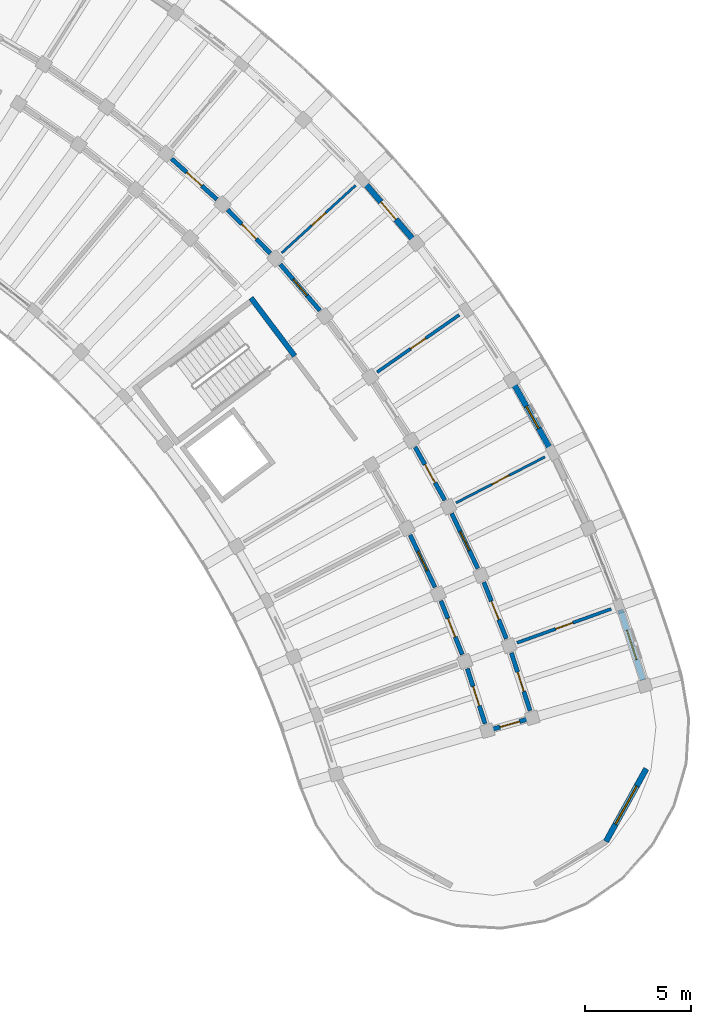
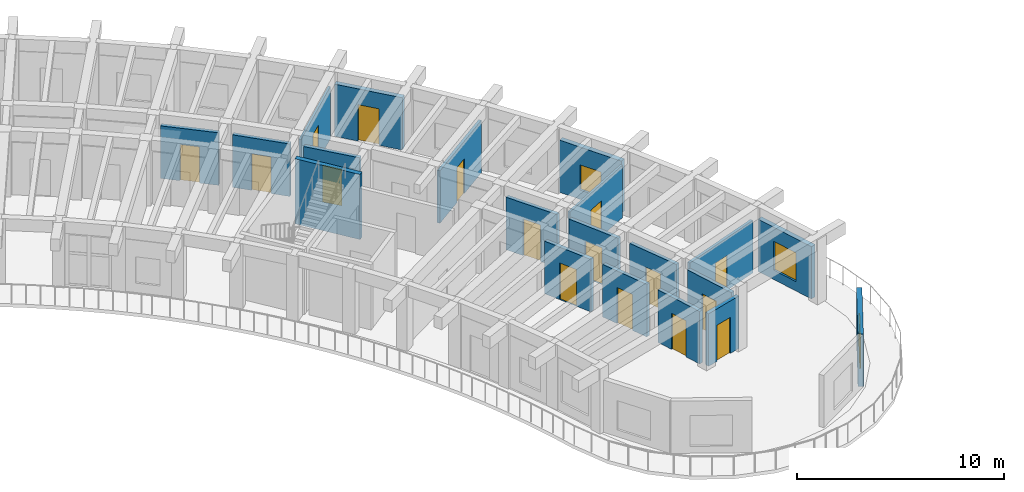
# One storey, part 99 of 128: 20 walls, 16 doors, 3 windows, 19 openings.
"""IFC4 building model written with IfcOpenShell, lengths in metres."""

from ifc_helpers import new_model, si_unit, direction, frame, frame_2d, origin, place, context, subcontext, project, spatial, rectangle, extrude, material, layer, layer_set, type_object, element, fill, save


model = new_model("IFC4")

# Units and contexts
model_context = context("Model", 3, precision=1e-05, world=origin(), true_north=direction((0.0, 1.0)))
body_context = subcontext(model_context, "Body", "Model", "MODEL_VIEW")
ifc_project = project(units=[si_unit("LENGTHUNIT", "METRE"), si_unit("AREAUNIT", "SQUARE_METRE"), si_unit("VOLUMEUNIT", "CUBIC_METRE"), si_unit("PLANEANGLEUNIT", "RADIAN"), si_unit("MASSUNIT", "GRAM", prefix="KILO")], contexts=[model_context])

# Site, building, storey
site_placement = place(None, origin())
site = spatial("IfcSite", under=ifc_project, at=site_placement, CompositionType="ELEMENT")
building_placement = place(site_placement, origin())
building = spatial("IfcBuilding", under=site, at=building_placement, Name="Tanwirah Colonnade Gardens", CompositionType="ELEMENT")
storey_placement = place(building_placement, frame((0.0, 0.0, 4.760009765625)))
storey = spatial("IfcBuildingStorey", under=building, at=storey_placement, Name="L01", CompositionType="ELEMENT", Elevation=4.760009765625)

# Wall, opening, window
ifc_material_1 = material(Name="Limestone architectural precast concrete C40/50", Category="masonry")
ifc_layer_1 = layer(ifc_material_1, 0.27001953125)
ifc_layer_set_1 = layer_set([ifc_layer_1], Name="Limestone architectural precast concrete C40/50")
wall_type_1 = type_object("IfcWallType", Name="EW-PC270", PredefinedType="SOLIDWALL", material=ifc_layer_set_1)
wall_1_placement = place(storey_placement, frame((178.16015625, 76.87109375, 0.0), z_axis=(0.0, 0.0, 1.0), x_axis=(-0.307173119512, 0.951653652675, 0.0)))
wall_1 = element("IfcWall", 1, at=wall_1_placement, inside=storey, type_object=wall_type_1, Name="Block B L01 OUT Precast Facade Wall 0", PredefinedType="SOLIDWALL", context=body_context, shape_type="SweptSolid", body=[
    extrude(rectangle(XDim=3.4755859375, YDim=0.27001953125, at=frame_2d((1.73779296875, 0.0))), origin(), (0.0, 0.0, 1.0), 3.074951171875),
])
opening_1_placement = place(wall_1_placement, frame((1.0126953125, 0.0, 0.550048828125)))
opening_1 = element("IfcOpeningElement", 2, at=opening_1_placement, cuts=wall_1, Name="Opening WIN-T07", PredefinedType="OPENING", context=body_context, shape_type="SweptSolid", body=[
    extrude(rectangle(XDim=1.449951171875, YDim=1.699951171875, at=frame_2d((0.72509765625, 0.85009765625))), frame((0.0, 0.14501953125, 0.0), z_axis=(0.0, -1.0, 0.0), x_axis=(1.0, 0.0, 0.0)), (0.0, 0.0, 1.0), 0.2900390625),
])
ifc_material_2 = material(Name="Thermally broken bronze aluminium and solar low-E double glazing", Category="aluminium")
window_type_1 = type_object("IfcWindowType", Name="WIN-T07", PartitioningType="DOUBLE_PANEL_VERTICAL", PredefinedType="WINDOW", material=ifc_material_2)
window_1_placement = place(opening_1_placement, origin())
window_1 = element("IfcWindow", 3, at=window_1_placement, inside=storey, type_object=window_type_1, Name="Facade window B-L01-OUT-00", OverallHeight=1.699951171875, OverallWidth=1.449951171875, PartitioningType="SINGLE_PANEL", PredefinedType="WINDOW", context=body_context, shape_type="SweptSolid", body=[
    extrude(rectangle(XDim=1.449951171875, YDim=1.699951171875, at=frame_2d((0.72509765625, 0.85009765625))), frame((0.0, 0.030029296875, 0.0), z_axis=(0.0, -1.0, 0.0), x_axis=(1.0, 0.0, 0.0)), (0.0, 0.0, 1.0), 0.06005859375),
])
fill(opening_1, window_1)

wall_2_placement = place(storey_placement, frame((173.8134765625, 87.700439453125, 0.0), z_axis=(0.0, 0.0, 1.0), x_axis=(-0.488229031398, 0.872715539509, 0.0)))
wall_2 = element("IfcWall", 4, at=wall_2_placement, inside=storey, type_object=wall_type_1, Name="Block B L01 OUT Precast Facade Wall 3", PredefinedType="SOLIDWALL", context=body_context, shape_type="SweptSolid", body=[
    extrude(rectangle(XDim=3.475830078125, YDim=0.27001953125, at=frame_2d((1.73779296875, 0.0))), origin(), (0.0, 0.0, 1.0), 3.074951171875),
])
opening_2_placement = place(wall_2_placement, frame((1.14794921875, 0.0, 0.550048828125)))
opening_2 = element("IfcOpeningElement", 5, at=opening_2_placement, cuts=wall_2, Name="Opening WIN-T16", PredefinedType="OPENING", context=body_context, shape_type="SweptSolid", body=[
    extrude(rectangle(XDim=1.179931640625, YDim=1.47998046875, at=frame_2d((0.58984375, 0.739990234375))), frame((0.0, 0.14501953125, 0.0), z_axis=(0.0, -1.0, 0.0), x_axis=(1.0, 0.0, 0.0)), (0.0, 0.0, 1.0), 0.2900390625),
])
window_type_2 = type_object("IfcWindowType", Name="WIN-T16", PartitioningType="SINGLE_PANEL", PredefinedType="WINDOW", material=ifc_material_2)
window_2_placement = place(opening_2_placement, origin())
window_2 = element("IfcWindow", 6, at=window_2_placement, inside=storey, type_object=window_type_2, Name="Facade window B-L01-OUT-03", OverallHeight=1.47998046875, OverallWidth=1.179931640625, PartitioningType="SINGLE_PANEL", PredefinedType="WINDOW", context=body_context, shape_type="SweptSolid", body=[
    extrude(rectangle(XDim=1.179931640625, YDim=1.47998046875, at=frame_2d((0.58984375, 0.739990234375))), frame((0.0, 0.030029296875, 0.0), z_axis=(0.0, -1.0, 0.0), x_axis=(1.0, 0.0, 0.0)), (0.0, 0.0, 1.0), 0.06005859375),
])
fill(opening_2, window_2)

# Wall, opening, door
wall_3_placement = place(storey_placement, frame((167.32080078125, 97.611328125, 0.0), z_axis=(0.0, 0.0, 1.0), x_axis=(-0.650230086208, 0.759737346054, 0.0)))
wall_3 = element("IfcWall", 7, at=wall_3_placement, inside=storey, type_object=wall_type_1, Name="Block B L01 OUT Precast Facade Wall 6", PredefinedType="SOLIDWALL", context=body_context, shape_type="SweptSolid", body=[
    extrude(rectangle(XDim=3.4755859375, YDim=0.27001953125, at=frame_2d((1.73779296875, 0.0))), origin(), (0.0, 0.0, 1.0), 3.074951171875),
])
opening_3_placement = place(wall_3_placement, frame((1.19775390625, 0.0, 0.0)))
opening_3 = element("IfcOpeningElement", 8, at=opening_3_placement, cuts=wall_3, Name="Opening L01-ED072", PredefinedType="OPENING", context=body_context, shape_type="SweptSolid", body=[
    extrude(rectangle(XDim=1.080078125, YDim=2.14990234375, at=frame_2d((0.5400390625, 1.074951171875))), frame((0.0, 0.14501953125, 0.0), z_axis=(0.0, -1.0, 0.0), x_axis=(1.0, 0.0, 0.0)), (0.0, 0.0, 1.0), 0.2900390625),
])
ifc_material_3 = material(Name="Bronze aluminium glazed balcony door", Category="aluminium")
door_type_1 = type_object("IfcDoorType", Name="ED-BAL108", OperationType="NOTDEFINED", PredefinedType="DOOR", material=ifc_material_3)
door_1_placement = place(opening_3_placement, origin())
door_1 = element("IfcDoor", 9, at=door_1_placement, inside=storey, type_object=door_type_1, Name="Balcony glazed door L01-ED072", OperationType="SINGLE_SWING_RIGHT", OverallHeight=2.14990234375, OverallWidth=1.080078125, PredefinedType="DOOR", context=body_context, shape_type="SweptSolid", body=[
    extrude(rectangle(XDim=1.080078125, YDim=2.14990234375, at=frame_2d((0.5400390625, 1.074951171875))), frame((0.0, 0.02490234375, 0.0), z_axis=(0.0, -1.0, 0.0), x_axis=(1.0, 0.0, 0.0)), (0.0, 0.0, 1.0), 0.050048828125),
])
fill(opening_3, door_1)

# Wall, opening, window
wall_4_placement = place(storey_placement, frame((178.311279296875, 72.70654296875, 0.0), z_axis=(0.0, 0.0, 1.0), x_axis=(-0.484841794757, -0.874601871743, 0.0)))
wall_4 = element("IfcWall", 10, at=wall_4_placement, inside=storey, type_object=wall_type_1, Name="Block B L01 START Rounded End Wall 1", PredefinedType="SOLIDWALL", context=body_context, shape_type="SweptSolid", body=[
    extrude(rectangle(XDim=3.907958984375, YDim=0.27001953125, at=frame_2d((1.9541015625, 0.0))), origin(), (0.0, 0.0, 1.0), 3.074951171875),
])
opening_4_placement = place(wall_4_placement, frame((0.92919921875, 0.0, 0.39990234375)))
opening_4 = element("IfcOpeningElement", 11, at=opening_4_placement, cuts=wall_4, Name="Opening WIN-END3", PredefinedType="OPENING", context=body_context, shape_type="SweptSolid", body=[
    extrude(rectangle(XDim=2.050048828125, YDim=1.820068359375, at=frame_2d((1.02490234375, 0.91015625))), frame((0.0, 0.14501953125, 0.0), z_axis=(0.0, -1.0, 0.0), x_axis=(1.0, 0.0, 0.0)), (0.0, 0.0, 1.0), 0.2900390625),
])
window_type_3 = type_object("IfcWindowType", Name="WIN-END3", PartitioningType="TRIPLE_PANEL_VERTICAL", PredefinedType="WINDOW", material=ifc_material_2)
window_3_placement = place(opening_4_placement, origin())
window_3 = element("IfcWindow", 12, at=window_3_placement, inside=storey, type_object=window_type_3, Name="Rounded corner window B-L01-START-1", OverallHeight=1.820068359375, OverallWidth=2.050048828125, PartitioningType="SINGLE_PANEL", PredefinedType="WINDOW", context=body_context, shape_type="SweptSolid", body=[
    extrude(rectangle(XDim=2.050048828125, YDim=1.820068359375, at=frame_2d((1.02490234375, 0.91015625))), frame((0.0, 0.030029296875, 0.0), z_axis=(0.0, -1.0, 0.0), x_axis=(1.0, 0.0, 0.0)), (0.0, 0.0, 1.0), 0.06005859375),
])
fill(opening_4, window_3)

# Wall, opening, door
ifc_material_4 = material(Name="Precast concrete C40/50", Category="concrete")
ifc_layer_2 = layer(ifc_material_4, 0.205078125)
ifc_layer_set_2 = layer_set([ifc_layer_2], Name="Precast concrete C40/50")
wall_type_2 = type_object("IfcWallType", Name="IW-CORR205", PredefinedType="PARTITIONING", material=ifc_layer_set_2)
wall_5_placement = place(storey_placement, frame((172.8486328125, 75.431396484375, 0.0), z_axis=(0.0, 0.0, 1.0), x_axis=(-0.307157249761, 0.951658774939, 0.0)))
wall_5 = element("IfcWall", 13, at=wall_5_placement, inside=storey, type_object=wall_type_2, Name="Block B L01 OUT Corridor Wall 0", PredefinedType="PARTITIONING", context=body_context, shape_type="SweptSolid", body=[
    extrude(rectangle(XDim=2.863037109375, YDim=0.205078125, at=frame_2d((1.431640625, 0.0))), origin(), (0.0, 0.0, 1.0), 3.090087890625),
])
opening_5_placement = place(wall_5_placement, frame((0.95654296875, 0.0, 0.0)))
opening_5 = element("IfcOpeningElement", 14, at=opening_5_placement, cuts=wall_5, Name="Opening L01-AD834", PredefinedType="OPENING", context=body_context, shape_type="SweptSolid", body=[
    extrude(rectangle(XDim=0.949951171875, YDim=2.1298828125, at=frame_2d((0.47509765625, 1.06494140625))), frame((0.0, 0.112548828125, 0.0), z_axis=(0.0, -1.0, 0.0), x_axis=(1.0, 0.0, 0.0)), (0.0, 0.0, 1.0), 0.22509765625),
])
ifc_material_5 = material(Name="Solid oak fire-resisting apartment entrance door")
door_type_2 = type_object("IfcDoorType", Name="ID-FLT095", OperationType="NOTDEFINED", PredefinedType="DOOR", material=ifc_material_5)
door_2_placement = place(opening_5_placement, origin())
door_2 = element("IfcDoor", 15, at=door_2_placement, inside=storey, type_object=door_type_2, Name="Apartment corridor door L01-AD834", OperationType="SINGLE_SWING_RIGHT", OverallHeight=2.1298828125, OverallWidth=0.949951171875, PredefinedType="DOOR", context=body_context, shape_type="SweptSolid", body=[
    extrude(rectangle(XDim=0.949951171875, YDim=2.1298828125, at=frame_2d((0.47509765625, 1.06494140625))), frame((0.0, 0.02490234375, 0.0), z_axis=(0.0, -1.0, 0.0), x_axis=(1.0, 0.0, 0.0)), (0.0, 0.0, 1.0), 0.050048828125),
])
fill(opening_5, door_2)

wall_6_placement = place(storey_placement, frame((170.73388671875, 74.824951171875, 0.0), z_axis=(0.0, 0.0, 1.0), x_axis=(-0.307186478934, 0.95164934044, 0.0)))
wall_6 = element("IfcWall", 16, at=wall_6_placement, inside=storey, type_object=wall_type_2, Name="Block B L01 IN Corridor Wall 0", PredefinedType="PARTITIONING", context=body_context, shape_type="SweptSolid", body=[
    extrude(rectangle(XDim=2.718017578125, YDim=0.205078125, at=frame_2d((1.35888671875, 0.0))), origin(), (0.0, 0.0, 1.0), 3.090087890625),
])
opening_6_placement = place(wall_6_placement, frame((0.884033203125, 0.0, 0.0)))
opening_6 = element("IfcOpeningElement", 17, at=opening_6_placement, cuts=wall_6, Name="Opening L01-AD835", PredefinedType="OPENING", context=body_context, shape_type="SweptSolid", body=[
    extrude(rectangle(XDim=0.949951171875, YDim=2.1298828125, at=frame_2d((0.47509765625, 1.06494140625))), frame((0.0, 0.112548828125, 0.0), z_axis=(0.0, -1.0, 0.0), x_axis=(1.0, 0.0, 0.0)), (0.0, 0.0, 1.0), 0.22509765625),
])
door_3_placement = place(opening_6_placement, origin())
door_3 = element("IfcDoor", 18, at=door_3_placement, inside=storey, type_object=door_type_2, Name="Apartment corridor door L01-AD835", OperationType="SINGLE_SWING_LEFT", OverallHeight=2.1298828125, OverallWidth=0.949951171875, PredefinedType="DOOR", context=body_context, shape_type="SweptSolid", body=[
    extrude(rectangle(XDim=0.949951171875, YDim=2.1298828125, at=frame_2d((0.47509765625, 1.06494140625))), frame((0.0, 0.02490234375, 0.0), z_axis=(0.0, -1.0, 0.0), x_axis=(1.0, 0.0, 0.0)), (0.0, 0.0, 1.0), 0.050048828125),
])
fill(opening_6, door_3)

wall_7_placement = place(storey_placement, frame((171.732421875, 78.814208984375, 0.0), z_axis=(0.0, 0.0, 1.0), x_axis=(-0.369213832442, 0.929344471083, 0.0)))
wall_7 = element("IfcWall", 19, at=wall_7_placement, inside=storey, type_object=wall_type_2, Name="Block B L01 OUT Corridor Wall 1", PredefinedType="PARTITIONING", context=body_context, shape_type="SweptSolid", body=[
    extrude(rectangle(XDim=2.86328125, YDim=0.205078125, at=frame_2d((1.431640625, 0.0))), origin(), (0.0, 0.0, 1.0), 3.090087890625),
])
opening_7_placement = place(wall_7_placement, frame((0.966552734375, 0.0, 0.0)))
opening_7 = element("IfcOpeningElement", 20, at=opening_7_placement, cuts=wall_7, Name="Opening L01-AD837", PredefinedType="OPENING", context=body_context, shape_type="SweptSolid", body=[
    extrude(rectangle(XDim=0.929931640625, YDim=2.1201171875, at=frame_2d((0.46484375, 1.06005859375))), frame((0.0, 0.112548828125, 0.0), z_axis=(0.0, -1.0, 0.0), x_axis=(1.0, 0.0, 0.0)), (0.0, 0.0, 1.0), 0.22509765625),
])
door_type_3 = type_object("IfcDoorType", Name="ID-FLT093", OperationType="NOTDEFINED", PredefinedType="DOOR", material=ifc_material_5)
door_4_placement = place(opening_7_placement, origin())
door_4 = element("IfcDoor", 21, at=door_4_placement, inside=storey, type_object=door_type_3, Name="Apartment corridor door L01-AD837", OperationType="SINGLE_SWING_LEFT", OverallHeight=2.1201171875, OverallWidth=0.929931640625, PredefinedType="DOOR", context=body_context, shape_type="SweptSolid", body=[
    extrude(rectangle(XDim=0.929931640625, YDim=2.1201171875, at=frame_2d((0.46484375, 1.06005859375))), frame((0.0, 0.02490234375, 0.0), z_axis=(0.0, -1.0, 0.0), x_axis=(1.0, 0.0, 0.0)), (0.0, 0.0, 1.0), 0.050048828125),
])
fill(opening_7, door_4)

wall_8_placement = place(storey_placement, frame((169.662353515625, 78.06982421875, 0.0), z_axis=(0.0, 0.0, 1.0), x_axis=(-0.369237170461, 0.929335198919, 0.0)))
wall_8 = element("IfcWall", 22, at=wall_8_placement, inside=storey, type_object=wall_type_2, Name="Block B L01 IN Corridor Wall 1", PredefinedType="PARTITIONING", context=body_context, shape_type="SweptSolid", body=[
    extrude(rectangle(XDim=2.71826171875, YDim=0.205078125, at=frame_2d((1.359130859375, 0.0))), origin(), (0.0, 0.0, 1.0), 3.090087890625),
])
opening_8_placement = place(wall_8_placement, frame((0.89404296875, 0.0, 0.0)))
opening_8 = element("IfcOpeningElement", 23, at=opening_8_placement, cuts=wall_8, Name="Opening L01-AD838", PredefinedType="OPENING", context=body_context, shape_type="SweptSolid", body=[
    extrude(rectangle(XDim=0.929931640625, YDim=2.1201171875, at=frame_2d((0.46484375, 1.06005859375))), frame((0.0, 0.112548828125, 0.0), z_axis=(0.0, -1.0, 0.0), x_axis=(1.0, 0.0, 0.0)), (0.0, 0.0, 1.0), 0.22509765625),
])
door_5_placement = place(opening_8_placement, origin())
door_5 = element("IfcDoor", 24, at=door_5_placement, inside=storey, type_object=door_type_3, Name="Apartment corridor door L01-AD838", OperationType="SINGLE_SWING_RIGHT", OverallHeight=2.1201171875, OverallWidth=0.929931640625, PredefinedType="DOOR", context=body_context, shape_type="SweptSolid", body=[
    extrude(rectangle(XDim=0.929931640625, YDim=2.1201171875, at=frame_2d((0.46484375, 1.06005859375))), frame((0.0, 0.02490234375, 0.0), z_axis=(0.0, -1.0, 0.0), x_axis=(1.0, 0.0, 0.0)), (0.0, 0.0, 1.0), 0.050048828125),
])
fill(opening_8, door_5)

wall_9_placement = place(storey_placement, frame((170.395751953125, 82.116455078125, 0.0), z_axis=(0.0, 0.0, 1.0), x_axis=(-0.429595933416, 0.90302122566, 0.0)))
wall_9 = element("IfcWall", 25, at=wall_9_placement, inside=storey, type_object=wall_type_2, Name="Block B L01 OUT Corridor Wall 2", PredefinedType="PARTITIONING", context=body_context, shape_type="SweptSolid", body=[
    extrude(rectangle(XDim=2.863037109375, YDim=0.205078125, at=frame_2d((1.431640625, 0.0))), origin(), (0.0, 0.0, 1.0), 3.090087890625),
])
opening_9_placement = place(wall_9_placement, frame((0.9365234375, 0.0, 0.0)))
opening_9 = element("IfcOpeningElement", 26, at=opening_9_placement, cuts=wall_9, Name="Opening L01-AD839", PredefinedType="OPENING", context=body_context, shape_type="SweptSolid", body=[
    extrude(rectangle(XDim=0.989990234375, YDim=2.159912109375, at=frame_2d((0.4951171875, 1.080078125))), frame((0.0, 0.112548828125, 0.0), z_axis=(0.0, -1.0, 0.0), x_axis=(1.0, 0.0, 0.0)), (0.0, 0.0, 1.0), 0.22509765625),
])
door_type_4 = type_object("IfcDoorType", Name="ID-FLT099", OperationType="NOTDEFINED", PredefinedType="DOOR", material=ifc_material_5)
door_6_placement = place(opening_9_placement, origin())
door_6 = element("IfcDoor", 27, at=door_6_placement, inside=storey, type_object=door_type_4, Name="Apartment corridor door L01-AD839", OperationType="SINGLE_SWING_RIGHT", OverallHeight=2.159912109375, OverallWidth=0.989990234375, PredefinedType="DOOR", context=body_context, shape_type="SweptSolid", body=[
    extrude(rectangle(XDim=0.989990234375, YDim=2.159912109375, at=frame_2d((0.4951171875, 1.080078125))), frame((0.0, 0.02490234375, 0.0), z_axis=(0.0, -1.0, 0.0), x_axis=(1.0, 0.0, 0.0)), (0.0, 0.0, 1.0), 0.050048828125),
])
fill(opening_9, door_6)

wall_10_placement = place(storey_placement, frame((168.379150390625, 81.2373046875, 0.0), z_axis=(0.0, 0.0, 1.0), x_axis=(-0.429630211913, 0.90300491749, 0.0)))
wall_10 = element("IfcWall", 28, at=wall_10_placement, inside=storey, type_object=wall_type_2, Name="Block B L01 IN Corridor Wall 2", PredefinedType="PARTITIONING", context=body_context, shape_type="SweptSolid", body=[
    extrude(rectangle(XDim=2.718017578125, YDim=0.205078125, at=frame_2d((1.35888671875, 0.0))), origin(), (0.0, 0.0, 1.0), 3.090087890625),
])
opening_10_placement = place(wall_10_placement, frame((0.864013671875, 0.0, 0.0)))
opening_10 = element("IfcOpeningElement", 29, at=opening_10_placement, cuts=wall_10, Name="Opening L01-AD840", PredefinedType="OPENING", context=body_context, shape_type="SweptSolid", body=[
    extrude(rectangle(XDim=0.989990234375, YDim=2.159912109375, at=frame_2d((0.4951171875, 1.080078125))), frame((0.0, 0.112548828125, 0.0), z_axis=(0.0, -1.0, 0.0), x_axis=(1.0, 0.0, 0.0)), (0.0, 0.0, 1.0), 0.22509765625),
])
door_7_placement = place(opening_10_placement, origin())
door_7 = element("IfcDoor", 30, at=door_7_placement, inside=storey, type_object=door_type_4, Name="Apartment corridor door L01-AD840", OperationType="SINGLE_SWING_LEFT", OverallHeight=2.159912109375, OverallWidth=0.989990234375, PredefinedType="DOOR", context=body_context, shape_type="SweptSolid", body=[
    extrude(rectangle(XDim=0.989990234375, YDim=2.159912109375, at=frame_2d((0.4951171875, 1.080078125))), frame((0.0, 0.02490234375, 0.0), z_axis=(0.0, -1.0, 0.0), x_axis=(1.0, 0.0, 0.0)), (0.0, 0.0, 1.0), 0.050048828125),
])
fill(opening_10, door_7)

wall_11_placement = place(storey_placement, frame((168.844482421875, 85.323486328125, 0.0), z_axis=(0.0, 0.0, 1.0), x_axis=(-0.48817487918, 0.872745832037, 0.0)))
wall_11 = element("IfcWall", 31, at=wall_11_placement, inside=storey, type_object=wall_type_2, Name="Block B L01 OUT Corridor Wall 3", PredefinedType="PARTITIONING", context=body_context, shape_type="SweptSolid", body=[
    extrude(rectangle(XDim=2.863037109375, YDim=0.205078125, at=frame_2d((1.431640625, 0.0))), origin(), (0.0, 0.0, 1.0), 3.090087890625),
])
opening_11_placement = place(wall_11_placement, frame((0.946533203125, 0.0, 0.0)))
opening_11 = element("IfcOpeningElement", 32, at=opening_11_placement, cuts=wall_11, Name="Opening L01-AD842", PredefinedType="OPENING", context=body_context, shape_type="SweptSolid", body=[
    extrude(rectangle(XDim=0.969970703125, YDim=2.14990234375, at=frame_2d((0.48486328125, 1.074951171875))), frame((0.0, 0.112548828125, 0.0), z_axis=(0.0, -1.0, 0.0), x_axis=(1.0, 0.0, 0.0)), (0.0, 0.0, 1.0), 0.22509765625),
])
door_type_5 = type_object("IfcDoorType", Name="ID-FLT097", OperationType="NOTDEFINED", PredefinedType="DOOR", material=ifc_material_5)
door_8_placement = place(opening_11_placement, origin())
door_8 = element("IfcDoor", 33, at=door_8_placement, inside=storey, type_object=door_type_5, Name="Apartment corridor door L01-AD842", OperationType="SINGLE_SWING_LEFT", OverallHeight=2.14990234375, OverallWidth=0.969970703125, PredefinedType="DOOR", context=body_context, shape_type="SweptSolid", body=[
    extrude(rectangle(XDim=0.969970703125, YDim=2.14990234375, at=frame_2d((0.48486328125, 1.074951171875))), frame((0.0, 0.02490234375, 0.0), z_axis=(0.0, -1.0, 0.0), x_axis=(1.0, 0.0, 0.0)), (0.0, 0.0, 1.0), 0.050048828125),
])
fill(opening_11, door_8)

wall_12_placement = place(storey_placement, frame((162.974365234375, 94.23583984375, 0.0), z_axis=(0.0, 0.0, 1.0), x_axis=(-0.650194272684, 0.759767996015, 0.0)))
wall_12 = element("IfcWall", 34, at=wall_12_placement, inside=storey, type_object=wall_type_2, Name="Block B L01 OUT Corridor Wall 6", PredefinedType="PARTITIONING", context=body_context, shape_type="SweptSolid", body=[
    extrude(rectangle(XDim=2.863037109375, YDim=0.205078125, at=frame_2d((1.431640625, 0.0))), origin(), (0.0, 0.0, 1.0), 3.090087890625),
])
opening_12_placement = place(wall_12_placement, frame((0.9365234375, 0.0, 0.0)))
opening_12 = element("IfcOpeningElement", 35, at=opening_12_placement, cuts=wall_12, Name="Opening L01-AD848", PredefinedType="OPENING", context=body_context, shape_type="SweptSolid", body=[
    extrude(rectangle(XDim=0.989990234375, YDim=2.159912109375, at=frame_2d((0.4951171875, 1.080078125))), frame((0.0, 0.112548828125, 0.0), z_axis=(0.0, -1.0, 0.0), x_axis=(1.0, 0.0, 0.0)), (0.0, 0.0, 1.0), 0.22509765625),
])
door_9_placement = place(opening_12_placement, origin())
door_9 = element("IfcDoor", 36, at=door_9_placement, inside=storey, type_object=door_type_4, Name="Apartment corridor door L01-AD848", OperationType="SINGLE_SWING_RIGHT", OverallHeight=2.159912109375, OverallWidth=0.989990234375, PredefinedType="DOOR", context=body_context, shape_type="SweptSolid", body=[
    extrude(rectangle(XDim=0.989990234375, YDim=2.159912109375, at=frame_2d((0.4951171875, 1.080078125))), frame((0.0, 0.02490234375, 0.0), z_axis=(0.0, -1.0, 0.0), x_axis=(1.0, 0.0, 0.0)), (0.0, 0.0, 1.0), 0.050048828125),
])
fill(opening_12, door_9)

wall_13_placement = place(storey_placement, frame((160.640625, 96.92724609375, 0.0), z_axis=(0.0, 0.0, 1.0), x_axis=(-0.698787219683, 0.715329589496, 0.0)))
wall_13 = element("IfcWall", 37, at=wall_13_placement, inside=storey, type_object=wall_type_2, Name="Block B L01 OUT Corridor Wall 7", PredefinedType="PARTITIONING", context=body_context, shape_type="SweptSolid", body=[
    extrude(rectangle(XDim=2.863037109375, YDim=0.205078125, at=frame_2d((1.431640625, 0.0))), origin(), (0.0, 0.0, 1.0), 3.090087890625),
])
opening_13_placement = place(wall_13_placement, frame((0.946533203125, 0.0, 0.0)))
opening_13 = element("IfcOpeningElement", 38, at=opening_13_placement, cuts=wall_13, Name="Opening L01-AD850", PredefinedType="OPENING", context=body_context, shape_type="SweptSolid", body=[
    extrude(rectangle(XDim=0.969970703125, YDim=2.14990234375, at=frame_2d((0.48486328125, 1.074951171875))), frame((0.0, 0.112548828125, 0.0), z_axis=(0.0, -1.0, 0.0), x_axis=(1.0, 0.0, 0.0)), (0.0, 0.0, 1.0), 0.22509765625),
])
door_10_placement = place(opening_13_placement, origin())
door_10 = element("IfcDoor", 39, at=door_10_placement, inside=storey, type_object=door_type_5, Name="Apartment corridor door L01-AD850", OperationType="SINGLE_SWING_LEFT", OverallHeight=2.14990234375, OverallWidth=0.969970703125, PredefinedType="DOOR", context=body_context, shape_type="SweptSolid", body=[
    extrude(rectangle(XDim=0.969970703125, YDim=2.14990234375, at=frame_2d((0.48486328125, 1.074951171875))), frame((0.0, 0.02490234375, 0.0), z_axis=(0.0, -1.0, 0.0), x_axis=(1.0, 0.0, 0.0)), (0.0, 0.0, 1.0), 0.050048828125),
])
fill(opening_13, door_10)

wall_14_placement = place(storey_placement, frame((158.134765625, 99.459228515625, 0.0), z_axis=(0.0, 0.0, 1.0), x_axis=(-0.744433521088, 0.667696587291, 0.0)))
wall_14 = element("IfcWall", 40, at=wall_14_placement, inside=storey, type_object=wall_type_2, Name="Block B L01 OUT Corridor Wall 8", PredefinedType="PARTITIONING", context=body_context, shape_type="SweptSolid", body=[
    extrude(rectangle(XDim=2.86328125, YDim=0.205078125, at=frame_2d((1.431640625, 0.0))), origin(), (0.0, 0.0, 1.0), 3.090087890625),
])
opening_14_placement = place(wall_14_placement, frame((0.95654296875, 0.0, 0.0)))
opening_14 = element("IfcOpeningElement", 41, at=opening_14_placement, cuts=wall_14, Name="Opening L01-AD852", PredefinedType="OPENING", context=body_context, shape_type="SweptSolid", body=[
    extrude(rectangle(XDim=0.949951171875, YDim=2.1298828125, at=frame_2d((0.47509765625, 1.06494140625))), frame((0.0, 0.112548828125, 0.0), z_axis=(0.0, -1.0, 0.0), x_axis=(1.0, 0.0, 0.0)), (0.0, 0.0, 1.0), 0.22509765625),
])
door_11_placement = place(opening_14_placement, origin())
door_11 = element("IfcDoor", 42, at=door_11_placement, inside=storey, type_object=door_type_2, Name="Apartment corridor door L01-AD852", OperationType="SINGLE_SWING_RIGHT", OverallHeight=2.1298828125, OverallWidth=0.949951171875, PredefinedType="DOOR", context=body_context, shape_type="SweptSolid", body=[
    extrude(rectangle(XDim=0.949951171875, YDim=2.1298828125, at=frame_2d((0.47509765625, 1.06494140625))), frame((0.0, 0.02490234375, 0.0), z_axis=(0.0, -1.0, 0.0), x_axis=(1.0, 0.0, 0.0)), (0.0, 0.0, 1.0), 0.050048828125),
])
fill(opening_14, door_11)

wall_15_placement = place(storey_placement, frame((170.889404296875, 74.505615234375, 0.0), z_axis=(0.0, 0.0, 1.0), x_axis=(0.961264701934, 0.275626872449, 0.0)))
wall_15 = element("IfcWall", 43, at=wall_15_placement, inside=storey, type_object=wall_type_2, Name="Block B L01 CS Corner Suite Corridor Wall", PredefinedType="PARTITIONING", context=body_context, shape_type="SweptSolid", body=[
    extrude(rectangle(XDim=2.10009765625, YDim=0.205078125, at=frame_2d((1.050048828125, 0.0))), origin(), (0.0, 0.0, 1.0), 3.090087890625),
])
opening_15_placement = place(wall_15_placement, frame((0.570068359375, 0.0, 0.0)))
opening_15 = element("IfcOpeningElement", 44, at=opening_15_placement, cuts=wall_15, Name="Opening L01-CD874", PredefinedType="OPENING", context=body_context, shape_type="SweptSolid", body=[
    extrude(rectangle(XDim=0.949951171875, YDim=2.1298828125, at=frame_2d((0.47509765625, 1.06494140625))), frame((0.0, 0.112548828125, 0.0), z_axis=(0.0, -1.0, 0.0), x_axis=(1.0, 0.0, 0.0)), (0.0, 0.0, 1.0), 0.22509765625),
])
door_12_placement = place(opening_15_placement, origin())
door_12 = element("IfcDoor", 45, at=door_12_placement, inside=storey, type_object=door_type_2, Name="Corner suite entrance door L01-CD874", OperationType="SINGLE_SWING_LEFT", OverallHeight=2.1298828125, OverallWidth=0.949951171875, PredefinedType="DOOR", context=body_context, shape_type="SweptSolid", body=[
    extrude(rectangle(XDim=0.949951171875, YDim=2.1298828125, at=frame_2d((0.47509765625, 1.06494140625))), frame((0.0, 0.02490234375, 0.0), z_axis=(0.0, -1.0, 0.0), x_axis=(1.0, 0.0, 0.0)), (0.0, 0.0, 1.0), 0.050048828125),
])
fill(opening_15, door_12)

ifc_material_6 = material(Name="Acoustic gypsum stud partition")
ifc_layer_3 = layer(ifc_material_6, 0.114990234375)
ifc_layer_set_3 = layer_set([ifc_layer_3], Name="Acoustic gypsum stud partition")
wall_type_3 = type_object("IfcWallType", Name="IW-INT115", PredefinedType="PARTITIONING", material=ifc_layer_set_3)
wall_16_placement = place(storey_placement, frame((169.37060546875, 85.20166015625, 0.0), z_axis=(0.0, 0.0, 1.0), x_axis=(0.88836305433, 0.459141681512, 0.0)))
wall_16 = element("IfcWall", 46, at=wall_16_placement, inside=storey, type_object=wall_type_3, Name="Block B L01 Radial Partition 2", PredefinedType="PARTITIONING", context=body_context, shape_type="SweptSolid", body=[
    extrude(rectangle(XDim=4.699951171875, YDim=0.114990234375, at=frame_2d((2.35009765625, 0.0))), origin(), (0.0, 0.0, 1.0), 3.090087890625),
])
opening_16_placement = place(wall_16_placement, frame((1.89501953125, 0.0, 0.0)))
opening_16 = element("IfcOpeningElement", 47, at=opening_16_placement, cuts=wall_16, Name="Opening L01-RD841", PredefinedType="OPENING", context=body_context, shape_type="SweptSolid", body=[
    extrude(rectangle(XDim=0.909912109375, YDim=2.10009765625, at=frame_2d((0.455078125, 1.050048828125))), frame((0.0, 0.0673828125, 0.0), z_axis=(0.0, -1.0, 0.0), x_axis=(1.0, 0.0, 0.0)), (0.0, 0.0, 1.0), 0.135009765625),
])
ifc_material_7 = material(Name="Painted hardwood internal room door", Category="wood")
door_type_6 = type_object("IfcDoorType", Name="ID-RM091", OperationType="NOTDEFINED", PredefinedType="DOOR", material=ifc_material_7)
door_13_placement = place(opening_16_placement, origin())
door_13 = element("IfcDoor", 48, at=door_13_placement, inside=storey, type_object=door_type_6, Name="Internal apartment door L01-RD841", OperationType="SINGLE_SWING_RIGHT", OverallHeight=2.10009765625, OverallWidth=0.909912109375, PredefinedType="DOOR", context=body_context, shape_type="SweptSolid", body=[
    extrude(rectangle(XDim=0.909912109375, YDim=2.10009765625, at=frame_2d((0.455078125, 1.050048828125))), frame((0.0, 0.02490234375, 0.0), z_axis=(0.0, -1.0, 0.0), x_axis=(1.0, 0.0, 0.0)), (0.0, 0.0, 1.0), 0.050048828125),
])
fill(opening_16, door_13)

wall_17_placement = place(storey_placement, frame((161.180419921875, 96.947021484375, 0.0), z_axis=(0.0, 0.0, 1.0), x_axis=(0.737934199263, 0.674872667663, 0.0)))
wall_17 = element("IfcWall", 49, at=wall_17_placement, inside=storey, type_object=wall_type_3, Name="Block B L01 Radial Partition 6", PredefinedType="PARTITIONING", context=body_context, shape_type="SweptSolid", body=[
    extrude(rectangle(XDim=4.699951171875, YDim=0.114990234375, at=frame_2d((2.35009765625, 0.0))), origin(), (0.0, 0.0, 1.0), 3.090087890625),
])
opening_17_placement = place(wall_17_placement, frame((1.905029296875, 0.0, 0.0)))
opening_17 = element("IfcOpeningElement", 50, at=opening_17_placement, cuts=wall_17, Name="Opening L01-RD849", PredefinedType="OPENING", context=body_context, shape_type="SweptSolid", body=[
    extrude(rectangle(XDim=0.889892578125, YDim=2.10009765625, at=frame_2d((0.44482421875, 1.050048828125))), frame((0.0, 0.0673828125, 0.0), z_axis=(0.0, -1.0, 0.0), x_axis=(1.0, 0.0, 0.0)), (0.0, 0.0, 1.0), 0.135009765625),
])
ifc_material_8 = material(Name="Painted hardwood bedroom door", Category="wood")
door_type_7 = type_object("IfcDoorType", Name="ID-RM089", OperationType="NOTDEFINED", PredefinedType="DOOR", material=ifc_material_8)
door_14_placement = place(opening_17_placement, origin())
door_14 = element("IfcDoor", 51, at=door_14_placement, inside=storey, type_object=door_type_7, Name="Internal apartment door L01-RD849", OperationType="SINGLE_SWING_RIGHT", OverallHeight=2.10009765625, OverallWidth=0.889892578125, PredefinedType="DOOR", context=body_context, shape_type="SweptSolid", body=[
    extrude(rectangle(XDim=0.889892578125, YDim=2.10009765625, at=frame_2d((0.44482421875, 1.050048828125))), frame((0.0, 0.02490234375, 0.0), z_axis=(0.0, -1.0, 0.0), x_axis=(1.0, 0.0, 0.0)), (0.0, 0.0, 1.0), 0.050048828125),
])
fill(opening_17, door_14)

ifc_material_9 = material(Name="Water-resistant acoustic plumbing partition")
ifc_layer_4 = layer(ifc_material_9, 0.14990234375)
ifc_layer_set_4 = layer_set([ifc_layer_4], Name="Water-resistant acoustic plumbing partition")
wall_type_4 = type_object("IfcWallType", Name="IW-WET150", PredefinedType="PLUMBINGWALL", material=ifc_layer_set_4)
wall_18_placement = place(storey_placement, frame((172.238037109375, 78.62451171875, 0.0), z_axis=(0.0, 0.0, 1.0), x_axis=(0.941015806044, 0.338362605463, 0.0)))
wall_18 = element("IfcWall", 52, at=wall_18_placement, inside=storey, type_object=wall_type_4, Name="Block B L01 Radial Partition 0", PredefinedType="PLUMBINGWALL", context=body_context, shape_type="SweptSolid", body=[
    extrude(rectangle(XDim=4.7001953125, YDim=0.14990234375, at=frame_2d((2.35009765625, 0.0))), origin(), (0.0, 0.0, 1.0), 3.090087890625),
])
opening_18_placement = place(wall_18_placement, frame((1.919921875, 0.0, 0.0)))
opening_18 = element("IfcOpeningElement", 53, at=opening_18_placement, cuts=wall_18, Name="Opening L01-RD836", PredefinedType="OPENING", context=body_context, shape_type="SweptSolid", body=[
    extrude(rectangle(XDim=0.860107421875, YDim=2.06005859375, at=frame_2d((0.43017578125, 1.030029296875))), frame((0.0, 0.0849609375, 0.0), z_axis=(0.0, -1.0, 0.0), x_axis=(1.0, 0.0, 0.0)), (0.0, 0.0, 1.0), 0.169921875),
])
ifc_material_10 = material(Name="Moisture-resistant bathroom door")
door_type_8 = type_object("IfcDoorType", Name="ID-WET086", OperationType="NOTDEFINED", PredefinedType="DOOR", material=ifc_material_10)
door_15_placement = place(opening_18_placement, origin())
door_15 = element("IfcDoor", 54, at=door_15_placement, inside=storey, type_object=door_type_8, Name="Internal apartment door L01-RD836", OperationType="SINGLE_SWING_RIGHT", OverallHeight=2.06005859375, OverallWidth=0.860107421875, PredefinedType="DOOR", context=body_context, shape_type="SweptSolid", body=[
    extrude(rectangle(XDim=0.860107421875, YDim=2.06005859375, at=frame_2d((0.43017578125, 1.030029296875))), frame((0.0, 0.02490234375, 0.0), z_axis=(0.0, -1.0, 0.0), x_axis=(1.0, 0.0, 0.0)), (0.0, 0.0, 1.0), 0.050048828125),
])
fill(opening_18, door_15)

wall_19_placement = place(storey_placement, frame((165.663330078125, 91.3447265625, 0.0), z_axis=(0.0, 0.0, 1.0), x_axis=(0.820272617205, 0.571972755876, 0.0)))
wall_19 = element("IfcWall", 55, at=wall_19_placement, inside=storey, type_object=wall_type_4, Name="Block B L01 Radial Partition 4", PredefinedType="PLUMBINGWALL", context=body_context, shape_type="SweptSolid", body=[
    extrude(rectangle(XDim=4.699951171875, YDim=0.14990234375, at=frame_2d((2.35009765625, 0.0))), origin(), (0.0, 0.0, 1.0), 3.090087890625),
])
opening_19_placement = place(wall_19_placement, frame((1.919921875, 0.0, 0.0)))
opening_19 = element("IfcOpeningElement", 56, at=opening_19_placement, cuts=wall_19, Name="Opening L01-RD846", PredefinedType="OPENING", context=body_context, shape_type="SweptSolid", body=[
    extrude(rectangle(XDim=0.860107421875, YDim=2.06005859375, at=frame_2d((0.43017578125, 1.030029296875))), frame((0.0, 0.0849609375, 0.0), z_axis=(0.0, -1.0, 0.0), x_axis=(1.0, 0.0, 0.0)), (0.0, 0.0, 1.0), 0.169921875),
])
door_16_placement = place(opening_19_placement, origin())
door_16 = element("IfcDoor", 57, at=door_16_placement, inside=storey, type_object=door_type_8, Name="Internal apartment door L01-RD846", OperationType="SINGLE_SWING_RIGHT", OverallHeight=2.06005859375, OverallWidth=0.860107421875, PredefinedType="DOOR", context=body_context, shape_type="SweptSolid", body=[
    extrude(rectangle(XDim=0.860107421875, YDim=2.06005859375, at=frame_2d((0.43017578125, 1.030029296875))), frame((0.0, 0.02490234375, 0.0), z_axis=(0.0, -1.0, 0.0), x_axis=(1.0, 0.0, 0.0)), (0.0, 0.0, 1.0), 0.050048828125),
])
fill(opening_19, door_16)

# Wall
ifc_material_11 = material(Name="Concrete C45/55", Category="concrete")
ifc_layer_5 = layer(ifc_material_11, 0.25)
ifc_layer_set_5 = layer_set([ifc_layer_5], Name="Concrete C45/55")
wall_type_5 = type_object("IfcWallType", Name="SW-CORE250", PredefinedType="SHEAR", material=ifc_layer_set_5)
wall_20_placement = place(storey_placement, frame((159.7314453125, 94.8330078125, 0.0), z_axis=(0.0, 0.0, 1.0), x_axis=(0.601814606132, -0.798635824294, 0.0)))
element("IfcWall", 58, at=wall_20_placement, inside=storey, type_object=wall_type_5, Name="CORE-B1 L01 Stair Shaft Shear Wall NEAR", PredefinedType="SHEAR", context=body_context, shape_type="SweptSolid", body=[
    extrude(rectangle(XDim=3.419921875, YDim=0.25, at=frame_2d((1.7099609375, 0.0))), origin(), (0.0, 0.0, 1.0), 3.830078125),
])

save(model, "model.ifc")
